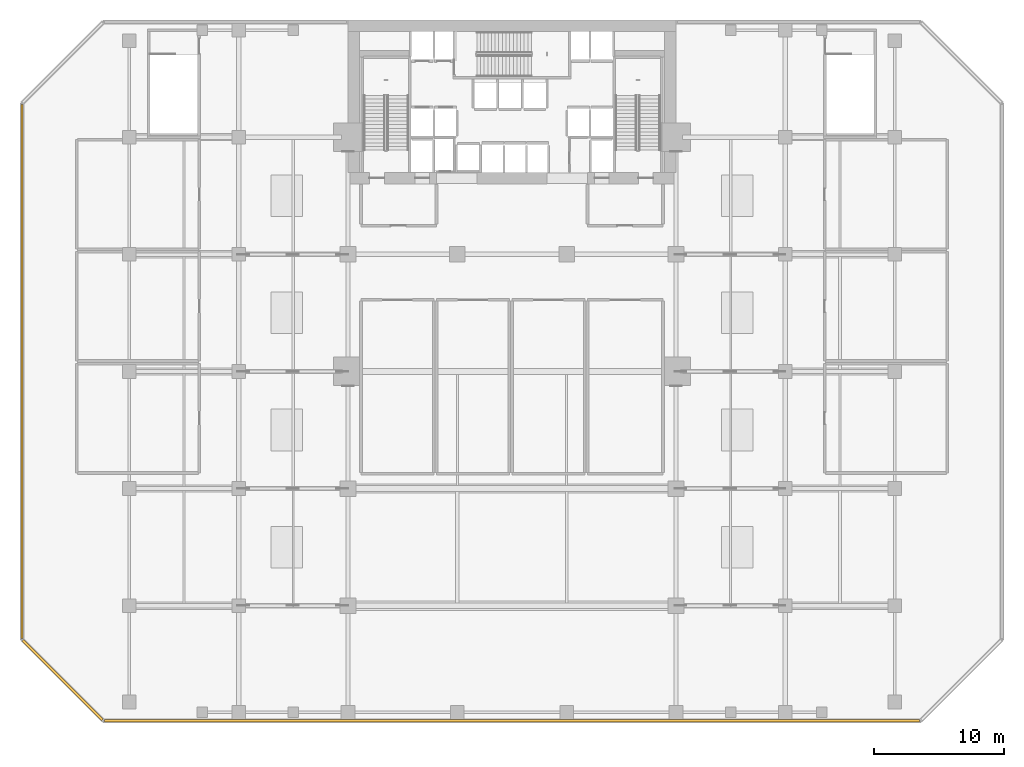
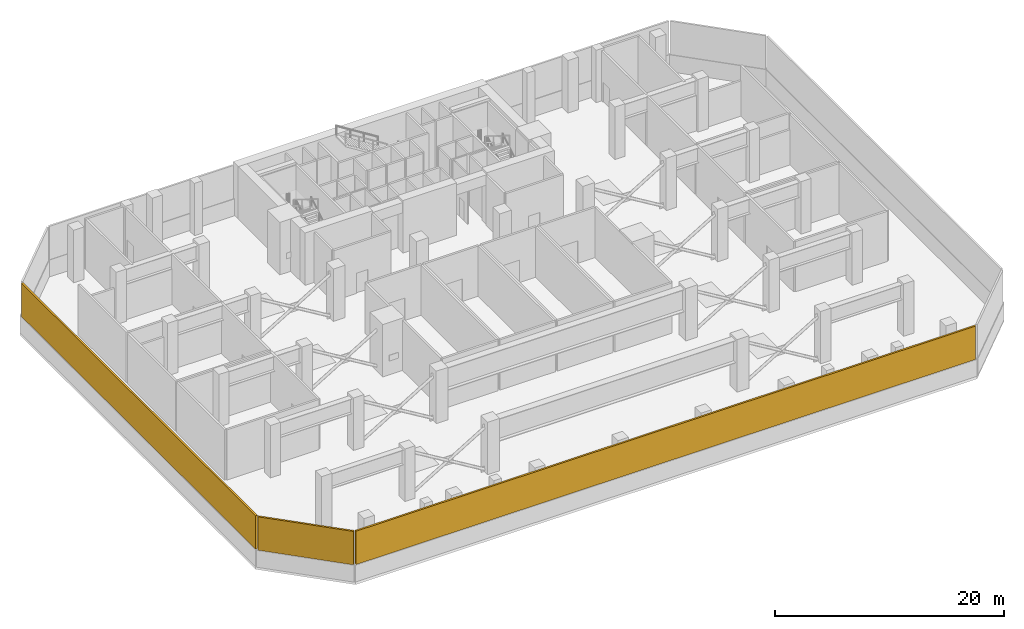
# One storey, part 12 of 15: 3 shading devices.
"""IFC4 building model written with IfcOpenShell, lengths in metres."""

from ifc_helpers import new_model, si_unit, direction, frame, origin, origin_2d, place, context, subcontext, project, spatial, rectangle, extrude, material, layer, layer_set, type_object, element, save


model = new_model("IFC4")

# Units and contexts
model_context = context("Model", 3, precision=1e-05, world=origin(), true_north=direction((0.0, 1.0)))
body_context = subcontext(model_context, "Body", "Model", "MODEL_VIEW")
ifc_project = project(units=[si_unit("LENGTHUNIT", "METRE"), si_unit("AREAUNIT", "SQUARE_METRE"), si_unit("VOLUMEUNIT", "CUBIC_METRE"), si_unit("PLANEANGLEUNIT", "RADIAN"), si_unit("MASSUNIT", "GRAM", prefix="KILO")], contexts=[model_context])

# Site, building, storey
site_placement = place(None, origin())
site = spatial("IfcSite", under=ifc_project, at=site_placement, CompositionType="ELEMENT")
building_placement = place(site_placement, origin())
building = spatial("IfcBuilding", under=site, at=building_placement, Name="Maruvema Waterfront Hotel and Observation Tower", CompositionType="ELEMENT")
storey_placement = place(building_placement, frame((0.0, 0.0, 21.35009765625)))
storey = spatial("IfcBuildingStorey", under=building, at=storey_placement, Name="L04", CompositionType="ELEMENT", Elevation=21.35009765625)

# Shading devices
ifc_material = material(Name="Anodised architectural bronze aluminium", Category="aluminium")
ifc_layer = layer(ifc_material, 0.14990234375, Name="Acoustic Weatherproof Plant Louvre Panel 150 mm")
ifc_layer_set = layer_set([ifc_layer], Name="Anodised architectural bronze aluminium")
shading_device_type = type_object("IfcShadingDeviceType", Name="Acoustic Weatherproof Plant Louvre Panel 150 mm", PredefinedType="JALOUSIE", material=ifc_layer_set)
shading_device_1_placement = place(storey_placement, frame((37.800048828125, 0.14990234375, 1.7998046875), z_axis=(0.0, 0.0, 1.0), x_axis=(1.0, 0.0, 0.0)))
element("IfcShadingDevice", 1, at=shading_device_1_placement, inside=storey, type_object=shading_device_type, Name="L04 Plant Acoustic Weather Louvre S", PredefinedType="JALOUSIE", context=body_context, shape_type="SweptSolid", body=[
    extrude(rectangle(XDim=62.60009765625, YDim=0.179931640625, at=origin_2d()), origin(), (0.0, 0.0, 1.0), 3.56005859375),
])
shading_device_2_placement = place(storey_placement, frame((0.14990234375, 27.0, 1.7998046875), z_axis=(0.0, 0.0, 1.0), x_axis=(0.0, -1.0, 0.0)))
element("IfcShadingDevice", 2, at=shading_device_2_placement, inside=storey, type_object=shading_device_type, Name="L04 Plant Acoustic Weather Louvre W", PredefinedType="JALOUSIE", context=body_context, shape_type="SweptSolid", body=[
    extrude(rectangle(XDim=41.0, YDim=0.179931640625, at=origin_2d()), origin(), (0.0, 0.0, 1.0), 3.56005859375),
])
shading_device_3_placement = place(storey_placement, frame((3.27490234375, 3.27490234375, 1.7998046875), z_axis=(0.0, 0.0, 1.0), x_axis=(0.707106781187, -0.707106781187, 0.0)))
element("IfcShadingDevice", 3, at=shading_device_3_placement, inside=storey, type_object=shading_device_type, Name="L04 Plant Acoustic Weather Louvre SW", PredefinedType="JALOUSIE", context=body_context, shape_type="SweptSolid", body=[
    extrude(rectangle(XDim=8.638916015625, YDim=0.179931640625, at=origin_2d()), origin(), (0.0, 0.0, 1.0), 3.56005859375),
])

save(model, "model.ifc")
